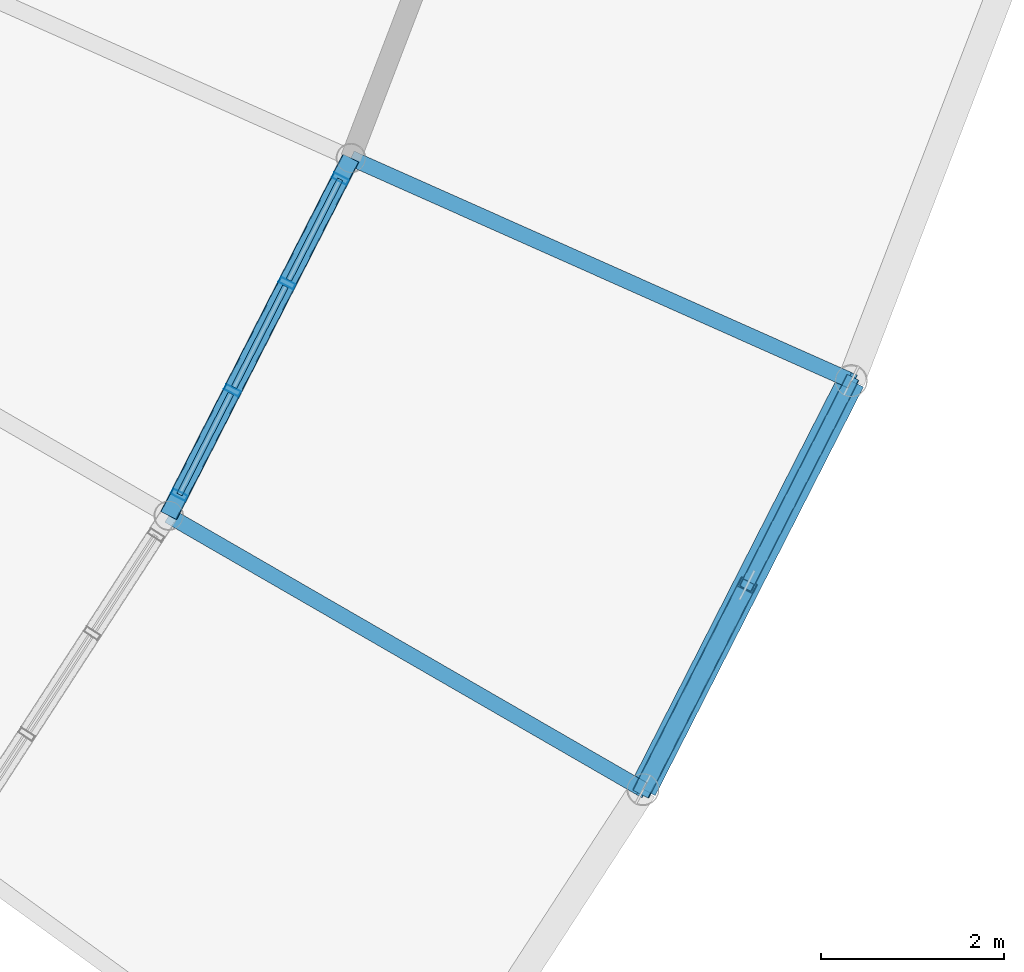
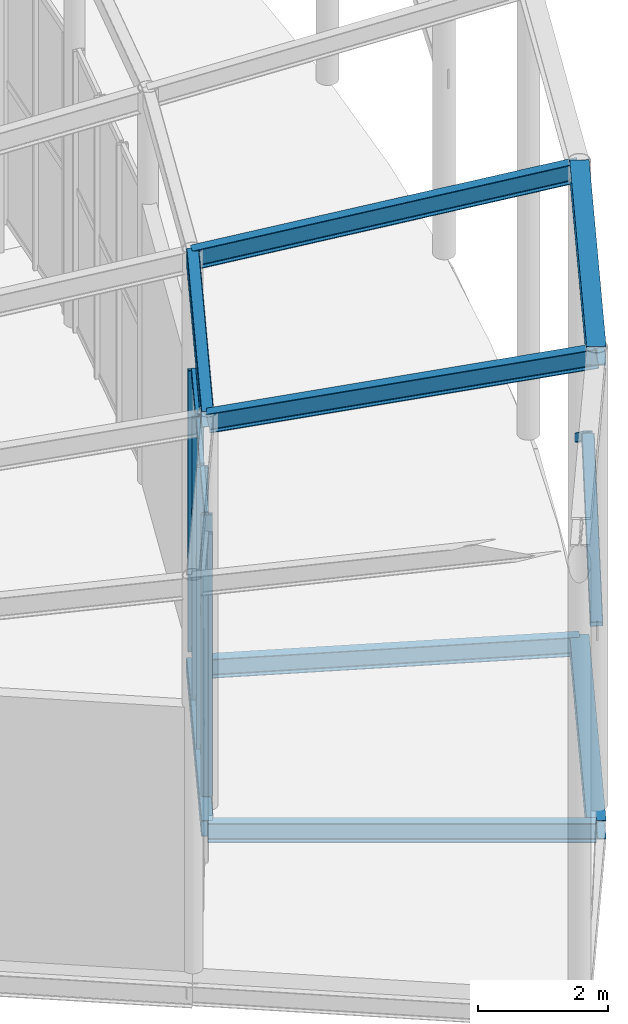
# One storey, part 88 of 158: 15 members, 8 beams, 1 element without a shape of its own.
"""IFC4 building model written with IfcOpenShell, lengths in metres."""

from ifc_helpers import new_model, si_unit, derived_unit, direction, frame, origin, origin_2d, place, context, subcontext, project, spatial, hollow_rectangle, i_section, extrude, material, material_profile, profile_set, type_object, element, aggregate, save


model = new_model("IFC4")

# Units and contexts
model_context = context("Model", 3, precision=1e-05, world=origin(), true_north=direction((0.0, 1.0)))
body_context = subcontext(model_context, "Body", "Model", "MODEL_VIEW")
ifc_project = project(units=[si_unit("LENGTHUNIT", "METRE"), si_unit("AREAUNIT", "SQUARE_METRE"), si_unit("VOLUMEUNIT", "CUBIC_METRE"), si_unit("PLANEANGLEUNIT", "RADIAN"), si_unit("MASSUNIT", "GRAM", prefix="KILO"), si_unit("THERMODYNAMICTEMPERATUREUNIT", "KELVIN"), si_unit("TIMEUNIT", "SECOND"), derived_unit("THERMALTRANSMITTANCEUNIT", [(si_unit("MASSUNIT", "GRAM", prefix="KILO"), 1), (si_unit("THERMODYNAMICTEMPERATUREUNIT", "KELVIN"), -1), (si_unit("TIMEUNIT", "SECOND"), -3)])], contexts=[model_context])

# Site, building, storey
site_placement = place(None, origin())
site = spatial("IfcSite", under=ifc_project, at=site_placement, CompositionType="ELEMENT")
building_placement = place(site_placement, origin())
building = spatial("IfcBuilding", under=site, at=building_placement, Name="Cambertide Market Hall", CompositionType="ELEMENT")
storey_placement = place(building_placement, origin())
storey = spatial("IfcBuildingStorey", under=building, at=storey_placement, Name="L01", CompositionType="ELEMENT", Elevation=0.0)

# Curtain wall, members
ifc_material_1 = material(Name="Marine Anodized Aluminium 6063-T6 AA25", Category="aluminium")
curtain_wall_type = type_object("IfcCurtainWallType", Name="Promenade Crescent Outer Glazed Wall", PredefinedType="USERDEFINED", material=ifc_material_1)
curtain_wall_placement = place(storey_placement, origin())
curtain_wall = element("IfcCurtainWall", 1, at=curtain_wall_placement, inside=storey, type_object=curtain_wall_type, Name="Level 1 Curtain Wall CW-V5M-L01-2", ObjectType="UNITIZED CURTAIN WALL", PredefinedType="USERDEFINED")
ifc_material_2 = material(Name="Champagne Marine Anodized Aluminium 6063-T6 AA25", Category="aluminium")
ifc_material_profile_1 = material_profile(ifc_material_2, hollow_rectangle(XDim=0.06494140625, YDim=0.179931640625, WallThickness=0.00390625, at=origin_2d()), Name="ALU MULLION 65x180")
ifc_profile_set_1 = profile_set([ifc_material_profile_1], Name="Champagne Marine Anodized Aluminium 6063-T6 AA25")
member_type_1 = type_object("IfcMemberType", Name="Curtain Wall Mullion ALU MULLION 65x180", PredefinedType="MULLION", material=ifc_profile_set_1)
member_1_placement = place(storey_placement, frame((182.253173828125, 48.68994140625, 0.0), z_axis=(0.0, 0.0, 1.0), x_axis=(-0.453990451578, -0.891006548728, 0.0)))
member_1 = element("IfcMember", 2, at=member_1_placement, type_object=member_type_1, Name="CW-V5M-L01-2 Mullion 1", PredefinedType="MULLION", context=body_context, shape_type="SweptSolid", body=[
    extrude(hollow_rectangle(XDim=0.06494140625, YDim=0.179931640625, WallThickness=0.00390625, at=origin_2d()), origin(), (0.0, 0.0, 1.0), 5.300048828125),
])
member_2_placement = place(storey_placement, frame((181.67041015625, 47.546142578125, 0.0), z_axis=(0.0, 0.0, 1.0), x_axis=(-0.453990451578, -0.891006548728, 0.0)))
member_2 = element("IfcMember", 3, at=member_2_placement, type_object=member_type_1, Name="CW-V5M-L01-2 Mullion 2", PredefinedType="MULLION", context=body_context, shape_type="SweptSolid", body=[
    extrude(hollow_rectangle(XDim=0.06494140625, YDim=0.179931640625, WallThickness=0.00390625, at=origin_2d()), origin(), (0.0, 0.0, 1.0), 5.300048828125),
])
member_3_placement = place(storey_placement, frame((181.071533203125, 46.37109375, 0.0), z_axis=(0.0, 0.0, 1.0), x_axis=(-0.453990451578, -0.891006548728, 0.0)))
member_3 = element("IfcMember", 4, at=member_3_placement, type_object=member_type_1, Name="CW-V5M-L01-2 Mullion 3", PredefinedType="MULLION", context=body_context, shape_type="SweptSolid", body=[
    extrude(hollow_rectangle(XDim=0.06494140625, YDim=0.179931640625, WallThickness=0.00390625, at=origin_2d()), origin(), (0.0, 0.0, 1.0), 5.300048828125),
])
member_4_placement = place(storey_placement, frame((180.48876953125, 45.227294921875, 0.0), z_axis=(0.0, 0.0, 1.0), x_axis=(-0.453990451578, -0.891006548728, 0.0)))
member_4 = element("IfcMember", 5, at=member_4_placement, type_object=member_type_1, Name="CW-V5M-L01-2 Mullion 4", PredefinedType="MULLION", context=body_context, shape_type="SweptSolid", body=[
    extrude(hollow_rectangle(XDim=0.06494140625, YDim=0.179931640625, WallThickness=0.00390625, at=origin_2d()), origin(), (0.0, 0.0, 1.0), 5.300048828125),
])
ifc_material_3 = material(Name="Champagne Marine Anodized Aluminium 6063-T6 AA25", Category="aluminium")
ifc_material_profile_2 = material_profile(ifc_material_3, hollow_rectangle(XDim=0.06494140625, YDim=0.139892578125, WallThickness=0.00341796875, at=origin_2d()), Name="ALU TRANSOM 65x140")
ifc_profile_set_2 = profile_set([ifc_material_profile_2], Name="Champagne Marine Anodized Aluminium 6063-T6 AA25")
member_type_2 = type_object("IfcMemberType", Name="Curtain Wall Transom ALU TRANSOM 65x140", PredefinedType="USERDEFINED", material=ifc_profile_set_2)
member_5_placement = place(storey_placement, frame((182.2509765625, 48.685302734375, 0.034912109375), z_axis=(-0.454138365069, -0.890931167584, 0.0), x_axis=(0.890931167584, -0.454138365069, 0.0)))
member_5 = element("IfcMember", 6, at=member_5_placement, type_object=member_type_2, Name="CW-V5M-L01-2 Transom 1-1", ObjectType="TRANSOM", PredefinedType="USERDEFINED", context=body_context, shape_type="SweptSolid", body=[
    extrude(hollow_rectangle(XDim=0.06494140625, YDim=0.139892578125, WallThickness=0.00341796875, at=origin_2d()), origin(), (0.0, 0.0, 1.0), 1.238525390625),
])
member_6_placement = place(storey_placement, frame((181.652099609375, 47.510498046875, 0.034912109375), z_axis=(-0.453902161453, -0.891051529278, 0.0), x_axis=(0.891051529278, -0.453902161453, 0.0)))
member_6 = element("IfcMember", 7, at=member_6_placement, type_object=member_type_2, Name="CW-V5M-L01-2 Transom 1-2", ObjectType="TRANSOM", PredefinedType="USERDEFINED", context=body_context, shape_type="SweptSolid", body=[
    extrude(hollow_rectangle(XDim=0.06494140625, YDim=0.139892578125, WallThickness=0.00341796875, at=origin_2d()), origin(), (0.0, 0.0, 1.0), 1.23876953125),
])
member_7_placement = place(storey_placement, frame((181.053466796875, 46.33544921875, 0.034912109375), z_axis=(-0.453902161453, -0.891051529278, 0.0), x_axis=(0.891051529278, -0.453902161453, 0.0)))
member_7 = element("IfcMember", 8, at=member_7_placement, type_object=member_type_2, Name="CW-V5M-L01-2 Transom 1-3", ObjectType="TRANSOM", PredefinedType="USERDEFINED", context=body_context, shape_type="SweptSolid", body=[
    extrude(hollow_rectangle(XDim=0.06494140625, YDim=0.139892578125, WallThickness=0.00341796875, at=origin_2d()), origin(), (0.0, 0.0, 1.0), 1.23876953125),
])
member_8_placement = place(storey_placement, frame((182.2509765625, 48.685302734375, 2.64990234375), z_axis=(-0.454138365069, -0.890931167584, 0.0), x_axis=(0.890931167584, -0.454138365069, 0.0)))
member_8 = element("IfcMember", 9, at=member_8_placement, type_object=member_type_2, Name="CW-V5M-L01-2 Transom 2-1", ObjectType="TRANSOM", PredefinedType="USERDEFINED", context=body_context, shape_type="SweptSolid", body=[
    extrude(hollow_rectangle(XDim=0.06494140625, YDim=0.139892578125, WallThickness=0.00341796875, at=origin_2d()), origin(), (0.0, 0.0, 1.0), 1.238525390625),
])
member_9_placement = place(storey_placement, frame((181.652099609375, 47.510498046875, 2.64990234375), z_axis=(-0.453902161453, -0.891051529278, 0.0), x_axis=(0.891051529278, -0.453902161453, 0.0)))
member_9 = element("IfcMember", 10, at=member_9_placement, type_object=member_type_2, Name="CW-V5M-L01-2 Transom 2-2", ObjectType="TRANSOM", PredefinedType="USERDEFINED", context=body_context, shape_type="SweptSolid", body=[
    extrude(hollow_rectangle(XDim=0.06494140625, YDim=0.139892578125, WallThickness=0.00341796875, at=origin_2d()), origin(), (0.0, 0.0, 1.0), 1.23876953125),
])
member_10_placement = place(storey_placement, frame((181.053466796875, 46.33544921875, 2.64990234375), z_axis=(-0.453902161453, -0.891051529278, 0.0), x_axis=(0.891051529278, -0.453902161453, 0.0)))
member_10 = element("IfcMember", 11, at=member_10_placement, type_object=member_type_2, Name="CW-V5M-L01-2 Transom 2-3", ObjectType="TRANSOM", PredefinedType="USERDEFINED", context=body_context, shape_type="SweptSolid", body=[
    extrude(hollow_rectangle(XDim=0.06494140625, YDim=0.139892578125, WallThickness=0.00341796875, at=origin_2d()), origin(), (0.0, 0.0, 1.0), 1.23876953125),
])
member_11_placement = place(storey_placement, frame((182.2509765625, 48.685302734375, 5.264892578125), z_axis=(-0.454138365069, -0.890931167584, 0.0), x_axis=(0.890931167584, -0.454138365069, 0.0)))
member_11 = element("IfcMember", 12, at=member_11_placement, type_object=member_type_2, Name="CW-V5M-L01-2 Transom 3-1", ObjectType="TRANSOM", PredefinedType="USERDEFINED", context=body_context, shape_type="SweptSolid", body=[
    extrude(hollow_rectangle(XDim=0.06494140625, YDim=0.139892578125, WallThickness=0.00341796875, at=origin_2d()), origin(), (0.0, 0.0, 1.0), 1.238525390625),
])
member_12_placement = place(storey_placement, frame((181.652099609375, 47.510498046875, 5.264892578125), z_axis=(-0.453902161453, -0.891051529278, 0.0), x_axis=(0.891051529278, -0.453902161453, 0.0)))
member_12 = element("IfcMember", 13, at=member_12_placement, type_object=member_type_2, Name="CW-V5M-L01-2 Transom 3-2", ObjectType="TRANSOM", PredefinedType="USERDEFINED", context=body_context, shape_type="SweptSolid", body=[
    extrude(hollow_rectangle(XDim=0.06494140625, YDim=0.139892578125, WallThickness=0.00341796875, at=origin_2d()), origin(), (0.0, 0.0, 1.0), 1.23876953125),
])
member_13_placement = place(storey_placement, frame((181.053466796875, 46.33544921875, 5.264892578125), z_axis=(-0.453902161453, -0.891051529278, 0.0), x_axis=(0.891051529278, -0.453902161453, 0.0)))
member_13 = element("IfcMember", 14, at=member_13_placement, type_object=member_type_2, Name="CW-V5M-L01-2 Transom 3-3", ObjectType="TRANSOM", PredefinedType="USERDEFINED", context=body_context, shape_type="SweptSolid", body=[
    extrude(hollow_rectangle(XDim=0.06494140625, YDim=0.139892578125, WallThickness=0.00341796875, at=origin_2d()), origin(), (0.0, 0.0, 1.0), 1.23876953125),
])
aggregate(curtain_wall, [member_1, member_2, member_3, member_4, member_5, member_6, member_7, member_8, member_9, member_10, member_11, member_12, member_13])

# Beams
ifc_material_4 = material(Name="Steel S355", Category="steel")
ifc_material_profile_3 = material_profile(ifc_material_4, i_section(OverallWidth=0.300048828125, OverallDepth=0.360107421875, WebThickness=0.012451171875, FlangeThickness=0.0224609375, FilletRadius=0.027099609375, at=origin_2d()), Name="HEB 360")
ifc_profile_set_3 = profile_set([ifc_material_profile_3], Name="Steel S355")
beam_type_1 = type_object("IfcBeamType", Name="Exterior Steel Girder HEB 360", PredefinedType="BEAM", material=ifc_profile_set_3)
beam_1_placement = place(storey_placement, frame((185.5693359375, 42.0, 8.449951171875), z_axis=(0.453965090194, 0.891019470542, 0.0), x_axis=(-0.891019470542, 0.453965090194, 0.0)))
element("IfcBeam", 15, at=beam_1_placement, inside=storey, type_object=beam_type_1, Name="Level 1 Beam BM-V5C-CAN-OUT-2", PredefinedType="BEAM", context=body_context, shape_type="SweptSolid", body=[
    extrude(i_section(OverallWidth=0.300048828125, OverallDepth=0.360107421875, WebThickness=0.012451171875, FlangeThickness=0.0224609375, FilletRadius=0.027099609375, at=origin_2d()), origin(), (0.0, 0.0, 1.0), 5.024169921875),
])
ifc_material_5 = material(Name="Steel S355", Category="steel")
ifc_material_profile_4 = material_profile(ifc_material_5, i_section(OverallWidth=0.169921875, OverallDepth=0.360107421875, WebThickness=0.008056640625, FlangeThickness=0.0126953125, FilletRadius=0.01806640625, at=origin_2d()), Name="IPE 360")
ifc_profile_set_4 = profile_set([ifc_material_profile_4], Name="Steel S355")
beam_type_2 = type_object("IfcBeamType", Name="Exterior Steel Girder IPE 360", PredefinedType="BEAM", material=ifc_profile_set_4)
for number, where, z_axis, x_axis, name in (
    (16, (180.373046875, 45.0, 7.22998046875), (0.848666459502, -0.489964924561, 0.199247617841), (0.499990139034, 0.866031096941, 0.0), "BM-V5R2-CAN-2"),
    (17, (182.368896484375, 48.9169921875, 7.22998046875), (0.89522452308, -0.398586447495, 0.199253349153), (0.406742442776, 0.913542875427, 0.0), "BM-V5R2-CAN-3"),
):
    element("IfcBeam", number, at=place(storey_placement, frame(where, z_axis=z_axis, x_axis=x_axis)), inside=storey, type_object=beam_type_2, Name=name, PredefinedType="BEAM", context=body_context, shape_type="SweptSolid", body=[
        extrude(i_section(OverallWidth=0.169921875, OverallDepth=0.360107421875, WebThickness=0.008056640625, FlangeThickness=0.0126953125, FilletRadius=0.01806640625, at=origin_2d()), origin(), (0.0, 0.0, 1.0), 6.122802734375),
    ])
ifc_material_6 = material(Name="Steel S355", Category="steel")
ifc_material_profile_5 = material_profile(ifc_material_6, hollow_rectangle(XDim=0.199951171875, YDim=0.300048828125, WallThickness=0.010009765625, InnerFilletRadius=0.010009765625, OuterFilletRadius=0.02001953125, at=origin_2d()), Name="RHS 300x200x10")
ifc_profile_set_5 = profile_set([ifc_material_profile_5], Name="Steel S355")
beam_type_3 = type_object("IfcBeamType", Name="Exterior Steel Girder RHS 300x200x10", PredefinedType="BEAM", material=ifc_profile_set_5)
beam_2_placement = place(storey_placement, frame((180.373046875, 45.0, 7.260009765625), z_axis=(0.453998157429, 0.891002622359, 0.0), x_axis=(-0.891002622359, 0.453998157429, 0.0)))
element("IfcBeam", 18, at=beam_2_placement, inside=storey, type_object=beam_type_3, Name="Level 1 Beam BM-V5C-CAN-MID-2", PredefinedType="BEAM", context=body_context, shape_type="SweptSolid", body=[
    extrude(hollow_rectangle(XDim=0.199951171875, YDim=0.300048828125, WallThickness=0.010009765625, InnerFilletRadius=0.010009765625, OuterFilletRadius=0.02001953125, at=origin_2d()), origin(), (0.0, 0.0, 1.0), 4.396240234375),
])
ifc_material_7 = material(Name="Steel S355", Category="steel")
ifc_material_profile_6 = material_profile(ifc_material_7, i_section(OverallWidth=0.300048828125, OverallDepth=0.360107421875, WebThickness=0.012451171875, FlangeThickness=0.0224609375, FilletRadius=0.027099609375, at=origin_2d()), Name="HEB 360")
ifc_profile_set_6 = profile_set([ifc_material_profile_6], Name="Steel S355")
beam_type_4 = type_object("IfcBeamType", Name="Steel Girder HEB 360", PredefinedType="BEAM", material=ifc_profile_set_6)
beam_3_placement = place(storey_placement, frame((185.5693359375, 42.0, -0.47998046875), z_axis=(0.453965090194, 0.891019470542, 0.0), x_axis=(-0.891019470542, 0.453965090194, 0.0)))
element("IfcBeam", 19, at=beam_3_placement, inside=storey, type_object=beam_type_4, Name="Level 1 Beam BM-V5C-FLR-OUT-2", PredefinedType="BEAM", context=body_context, shape_type="SweptSolid", body=[
    extrude(i_section(OverallWidth=0.300048828125, OverallDepth=0.360107421875, WebThickness=0.012451171875, FlangeThickness=0.0224609375, FilletRadius=0.027099609375, at=origin_2d()), origin(), (0.0, 0.0, 1.0), 5.024169921875),
])
ifc_material_8 = material(Name="Steel S355", Category="steel")
ifc_material_profile_7 = material_profile(ifc_material_8, i_section(OverallWidth=0.169921875, OverallDepth=0.360107421875, WebThickness=0.008056640625, FlangeThickness=0.0126953125, FilletRadius=0.01806640625, at=origin_2d()), Name="IPE 360")
ifc_profile_set_7 = profile_set([ifc_material_profile_7], Name="Steel S355")
beam_type_5 = type_object("IfcBeamType", Name="Steel Girder IPE 360", PredefinedType="BEAM", material=ifc_profile_set_7)
for number, where, z_axis, x_axis, name in (
    (20, (180.373046875, 45.0, -0.47998046875), (0.866031096941, -0.499990139034, 0.0), (0.499990139034, 0.866031096941, 0.0), "Level 1 Beam BM-V5R2-FLR-2"),
    (21, (182.368896484375, 48.9169921875, -0.47998046875), (0.913542875427, -0.406742442776, 0.0), (0.406742442776, 0.913542875427, 0.0), "Level 1 Beam BM-V5R2-FLR-3"),
):
    element("IfcBeam", number, at=place(storey_placement, frame(where, z_axis=z_axis, x_axis=x_axis)), inside=storey, type_object=beam_type_5, Name=name, PredefinedType="BEAM", context=body_context, shape_type="SweptSolid", body=[
        extrude(i_section(OverallWidth=0.169921875, OverallDepth=0.360107421875, WebThickness=0.008056640625, FlangeThickness=0.0126953125, FilletRadius=0.01806640625, at=origin_2d()), origin(), (0.0, 0.0, 1.0), 6.0),
    ])
ifc_material_9 = material(Name="Steel S355", Category="steel")
ifc_material_profile_8 = material_profile(ifc_material_9, hollow_rectangle(XDim=0.199951171875, YDim=0.300048828125, WallThickness=0.010009765625, InnerFilletRadius=0.010009765625, OuterFilletRadius=0.02001953125, at=origin_2d()), Name="RHS 300x200x10")
ifc_profile_set_8 = profile_set([ifc_material_profile_8], Name="Steel S355")
beam_type_6 = type_object("IfcBeamType", Name="Steel Girder RHS 300x200x10", PredefinedType="BEAM", material=ifc_profile_set_8)
beam_4_placement = place(storey_placement, frame((180.373046875, 45.0, -0.449951171875), z_axis=(0.453998157429, 0.891002622359, 0.0), x_axis=(-0.891002622359, 0.453998157429, 0.0)))
element("IfcBeam", 22, at=beam_4_placement, inside=storey, type_object=beam_type_6, Name="Level 1 Beam BM-V5C-FLR-MID-2", PredefinedType="BEAM", context=body_context, shape_type="SweptSolid", body=[
    extrude(hollow_rectangle(XDim=0.199951171875, YDim=0.300048828125, WallThickness=0.010009765625, InnerFilletRadius=0.010009765625, OuterFilletRadius=0.02001953125, at=origin_2d()), origin(), (0.0, 0.0, 1.0), 4.396240234375),
])

# Members
ifc_material_10 = material(Name="Steel S275", Category="steel")
ifc_material_profile_9 = material_profile(ifc_material_10, hollow_rectangle(XDim=0.14990234375, YDim=0.14990234375, WallThickness=0.00634765625, InnerFilletRadius=0.00634765625, OuterFilletRadius=0.0126953125, at=origin_2d()), Name="SHS 150x150x6.3")
ifc_profile_set_9 = profile_set([ifc_material_profile_9], Name="Steel S275")
member_type_3 = type_object("IfcMemberType", Name="Structural Brace SHS 150x150x6.3", PredefinedType="BRACE", material=ifc_profile_set_9)
member_14_placement = place(storey_placement, frame((187.85009765625, 46.4765625, 3.39990234375), z_axis=(-0.36900800771, -0.724270052385, 0.582465433708), x_axis=(0.891019470542, -0.453965090194, 0.0)))
element("IfcMember", 23, at=member_14_placement, inside=storey, type_object=member_type_3, Name="PBR-V5-2-B", PredefinedType="BRACE", context=body_context, shape_type="SweptSolid", body=[
    extrude(hollow_rectangle(XDim=0.14990234375, YDim=0.14990234375, WallThickness=0.00634765625, InnerFilletRadius=0.00634765625, OuterFilletRadius=0.0126953125, at=origin_2d()), origin(), (0.0, 0.0, 1.0), 3.09033203125),
])
ifc_material_11 = material(Name="Steel S355", Category="steel")
ifc_material_profile_10 = material_profile(ifc_material_11, hollow_rectangle(XDim=0.199951171875, YDim=0.199951171875, WallThickness=0.008056640625, InnerFilletRadius=0.008056640625, OuterFilletRadius=0.01611328125, at=origin_2d()), Name="SHS 200x200x8")
ifc_profile_set_10 = profile_set([ifc_material_profile_10], Name="Steel S355")
member_type_4 = type_object("IfcMemberType", Name="Structural Brace SHS 200x200x8", PredefinedType="BRACE", material=ifc_profile_set_10)
member_15_placement = place(storey_placement, frame((185.5693359375, 42.0, 3.39990234375), z_axis=(0.36900800771, 0.724270052385, 0.582465433708), x_axis=(-0.891019470542, 0.453965090194, 0.0)))
element("IfcMember", 24, at=member_15_placement, inside=storey, type_object=member_type_4, Name="PBR-V5-2-A", PredefinedType="BRACE", context=body_context, shape_type="SweptSolid", body=[
    extrude(hollow_rectangle(XDim=0.199951171875, YDim=0.199951171875, WallThickness=0.008056640625, InnerFilletRadius=0.008056640625, OuterFilletRadius=0.01611328125, at=origin_2d()), origin(), (0.0, 0.0, 1.0), 3.09033203125),
])

save(model, "model.ifc")
